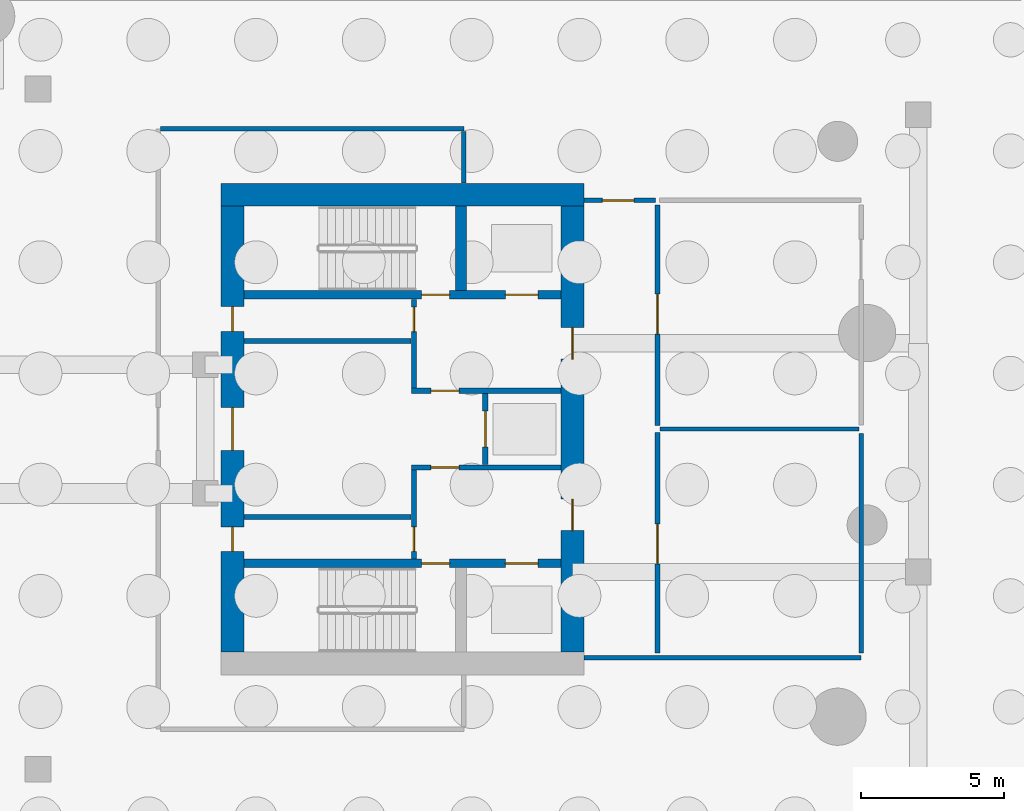
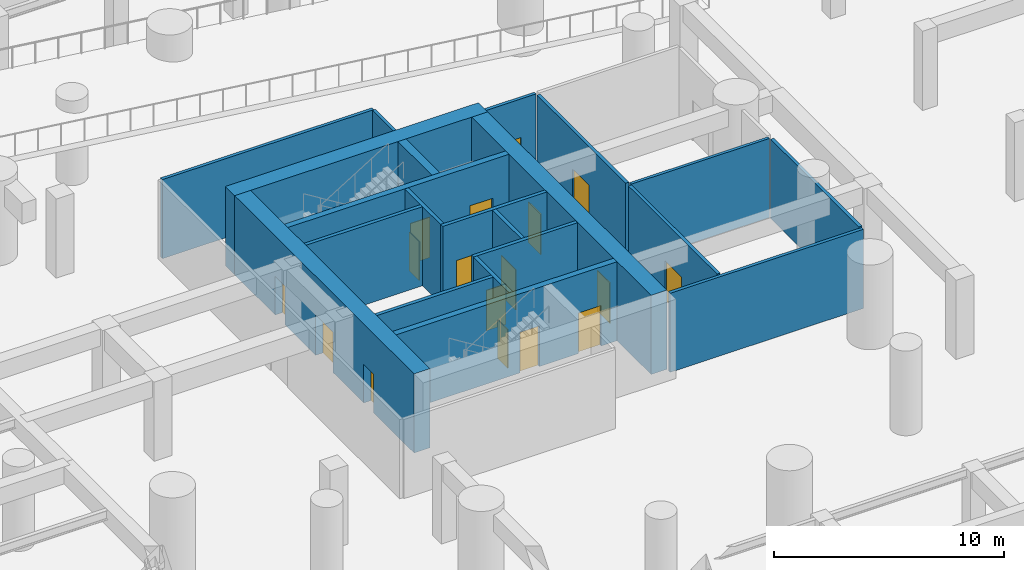
# One storey, part 7 of 11: 21 walls, 17 doors, 17 openings.
"""IFC4 building model written with IfcOpenShell, lengths in metres."""

from ifc_helpers import new_model, si_unit, direction, frame, frame_2d, origin, place, context, subcontext, project, spatial, rectangle, extrude, source, transform, mapped, material, layer, layer_set, type_object, element, fill, save


model = new_model("IFC4")

# Units and contexts
model_context = context("Model", 3, precision=1e-05, world=origin(), true_north=direction((0.0, 1.0)))
body_context = subcontext(model_context, "Body", "Model", "MODEL_VIEW")
ifc_project = project(units=[si_unit("LENGTHUNIT", "METRE"), si_unit("AREAUNIT", "SQUARE_METRE"), si_unit("VOLUMEUNIT", "CUBIC_METRE"), si_unit("PLANEANGLEUNIT", "RADIAN"), si_unit("MASSUNIT", "GRAM", prefix="KILO")], contexts=[model_context])

# Site, building, storey
site_placement = place(None, origin())
site = spatial("IfcSite", under=ifc_project, at=site_placement, CompositionType="ELEMENT")
building_placement = place(site_placement, origin())
building = spatial("IfcBuilding", under=site, at=building_placement, Name="Qafzar Sky-Pleat Residences", CompositionType="ELEMENT")
storey_placement = place(building_placement, frame((0.0, 0.0, -8.699951171875)))
storey = spatial("IfcBuildingStorey", under=building, at=storey_placement, Name="B02", CompositionType="ELEMENT", Elevation=-8.699951171875)

# Walls
ifc_material_1 = material(Name="Acoustic gypsum plasterboard partition", Category="gypsum")
ifc_layer_1 = layer(ifc_material_1, 0.159912109375)
ifc_layer_set_1 = layer_set([ifc_layer_1], Name="Acoustic gypsum plasterboard partition")
wall_type_1 = type_object("IfcWallType", Name="PART-COR-160", PredefinedType="PARTITIONING", material=ifc_layer_set_1)
wall_1_placement = place(storey_placement, frame((21.887939453125, 36.5, 0.0), z_axis=(0.0, 0.0, 1.0), x_axis=(1.0, 0.0, 0.0)))
element("IfcWall", 1, at=wall_1_placement, inside=storey, type_object=wall_type_1, Name="B02 Partition Wall PART-B02-PW-004", PredefinedType="PARTITIONING", context=body_context, shape_type="SweptSolid", body=[
    extrude(rectangle(XDim=10.612060546875, YDim=0.159912109375, at=frame_2d((5.30615234375, 0.0))), origin(), (0.0, 0.0, 1.0), 4.199951171875),
])
wall_2_placement = place(storey_placement, frame((32.5, 34.60791015625, 0.0), z_axis=(0.0, 0.0, 1.0), x_axis=(0.0, 1.0, 0.0)))
element("IfcWall", 2, at=wall_2_placement, inside=storey, type_object=wall_type_1, Name="B02 Partition Wall PART-B02-PW-005", PredefinedType="PARTITIONING", context=body_context, shape_type="SweptSolid", body=[
    extrude(rectangle(XDim=1.80419921875, YDim=0.159912109375, at=frame_2d((0.902099609375, 0.0))), origin(), (0.0, 0.0, 1.0), 4.199951171875),
])
wall_3_placement = place(storey_placement, frame((36.699951171875, 18.0, 0.0), z_axis=(0.0, 0.0, 1.0), x_axis=(1.0, 0.0, 0.0)))
element("IfcWall", 3, at=wall_3_placement, inside=storey, type_object=wall_type_1, Name="B02 Partition Wall PART-B02-PW-006", PredefinedType="PARTITIONING", context=body_context, shape_type="SweptSolid", body=[
    extrude(rectangle(XDim=9.699951171875, YDim=0.159912109375, at=frame_2d((4.85009765625, 0.0))), origin(), (0.0, 0.0, 1.0), 4.199951171875),
])

# Wall, opening, door
wall_4_placement = place(storey_placement, frame((36.699951171875, 34.0, 0.0), z_axis=(0.0, 0.0, 1.0), x_axis=(1.0, 0.0, 0.0)))
wall_4 = element("IfcWall", 4, at=wall_4_placement, inside=storey, type_object=wall_type_1, Name="B02 Partition Wall PART-B02-PW-007", PredefinedType="PARTITIONING", context=body_context, shape_type="SweptSolid", body=[
    extrude(rectangle(XDim=2.5, YDim=0.159912109375, at=frame_2d((1.25, 0.0))), origin(), (0.0, 0.0, 1.0), 4.199951171875),
])
opening_1_placement = place(wall_4_placement, frame((0.64990234375, 0.0, 0.0)))
opening_1 = element("IfcOpeningElement", 5, at=opening_1_placement, cuts=wall_4, Name="Opening ID-02", PredefinedType="OPENING", context=body_context, shape_type="SweptSolid", body=[
    extrude(rectangle(XDim=1.10009765625, YDim=2.14990234375, at=frame_2d((0.550048828125, 1.074951171875))), frame((0.0, 0.08984375, 0.0), z_axis=(0.0, -1.0, 0.0), x_axis=(1.0, 0.0, 0.0)), (0.0, 0.0, 1.0), 0.179931640625),
])
ifc_material_2 = material(Name="Timber-faced fire door", Category="wood")
door_type_1 = type_object("IfcDoorType", Name="DR-FFL-1100", OperationType="NOTDEFINED", PredefinedType="DOOR", material=ifc_material_2)
shared_shape_1 = source(origin(), body_context, "Body", "SweptSolid", [
    extrude(rectangle(XDim=1.10009765625, YDim=2.14990234375, at=frame_2d((0.550048828125, 1.074951171875))), frame((0.0, 0.02490234375, 0.0), z_axis=(0.0, -1.0, 0.0), x_axis=(1.0, 0.0, 0.0)), (0.0, 0.0, 1.0), 0.050048828125),
])
door_1_placement = place(opening_1_placement, origin())
door_1 = element("IfcDoor", 6, at=door_1_placement, inside=storey, type_object=door_type_1, Name="B02 East Service Lobby North Door", OperationType="SINGLE_SWING_RIGHT", OverallHeight=2.14990234375, OverallWidth=1.10009765625, PredefinedType="DOOR", context=body_context, shape_type="MappedRepresentation", body=[
    mapped(shared_shape_1, transform((0.0, 0.0, 0.0), x_axis=(1.0, 0.0, 0.0), y_axis=(0.0, 1.0, 0.0), z_axis=(0.0, 0.0, 1.0), scale=1.0)),
])
fill(opening_1, door_1)

wall_5_placement = place(storey_placement, frame((39.27490234375, 18.16796875, 0.0), z_axis=(0.0, 0.0, 1.0), x_axis=(0.0, 1.0, 0.0)))
wall_5 = element("IfcWall", 7, at=wall_5_placement, inside=storey, type_object=wall_type_1, Name="B02 Partition Wall PART-B02-PW-009", PredefinedType="PARTITIONING", context=body_context, shape_type="SweptSolid", body=[
    extrude(rectangle(XDim=7.7119140625, YDim=0.159912109375, at=frame_2d((3.85595703125, 0.0))), origin(), (0.0, 0.0, 1.0), 4.199951171875),
])
opening_2_placement = place(wall_5_placement, frame((3.112060546875, 0.0, 0.0)))
opening_2 = element("IfcOpeningElement", 8, at=opening_2_placement, cuts=wall_5, Name="Opening ID-10", PredefinedType="OPENING", context=body_context, shape_type="SweptSolid", body=[
    extrude(rectangle(XDim=1.39990234375, YDim=2.14990234375, at=frame_2d((0.699951171875, 1.074951171875))), frame((0.0, 0.08984375, 0.0), z_axis=(0.0, -1.0, 0.0), x_axis=(1.0, 0.0, 0.0)), (0.0, 0.0, 1.0), 0.179931640625),
])
door_type_2 = type_object("IfcDoorType", Name="DR-PLANT-1400", OperationType="DOUBLE_DOOR_SINGLE_SWING", PredefinedType="DOOR", material=ifc_material_2)
shared_shape_2 = source(origin(), body_context, "Body", "SweptSolid", [
    extrude(rectangle(XDim=1.39990234375, YDim=2.14990234375, at=frame_2d((0.699951171875, 1.074951171875))), frame((0.0, 0.02490234375, 0.0), z_axis=(0.0, -1.0, 0.0), x_axis=(1.0, 0.0, 0.0)), (0.0, 0.0, 1.0), 0.050048828125),
])
door_2_placement = place(opening_2_placement, origin())
door_2 = element("IfcDoor", 9, at=door_2_placement, inside=storey, type_object=door_type_2, Name="B02 Domestic and Fire Water Tank Plant Room Door", OperationType="DOUBLE_DOOR_SINGLE_SWING", OverallHeight=2.14990234375, OverallWidth=1.39990234375, PredefinedType="DOOR", context=body_context, shape_type="MappedRepresentation", body=[
    mapped(shared_shape_2, transform((0.0, 0.0, 0.0), x_axis=(1.0, 0.0, 0.0), y_axis=(0.0, 1.0, 0.0), z_axis=(0.0, 0.0, 1.0), scale=1.0)),
])
fill(opening_2, door_2)

wall_6_placement = place(storey_placement, frame((39.27490234375, 26.1201171875, 0.0), z_axis=(0.0, 0.0, 1.0), x_axis=(0.0, 1.0, 0.0)))
wall_6 = element("IfcWall", 10, at=wall_6_placement, inside=storey, type_object=wall_type_1, Name="B02 Partition Wall PART-B02-PW-010", PredefinedType="PARTITIONING", context=body_context, shape_type="SweptSolid", body=[
    extrude(rectangle(XDim=7.7119140625, YDim=0.159912109375, at=frame_2d((3.85595703125, 0.0))), origin(), (0.0, 0.0, 1.0), 4.199951171875),
])
opening_3_placement = place(wall_6_placement, frame((3.199951171875, 0.0, 0.0)))
opening_3 = element("IfcOpeningElement", 11, at=opening_3_placement, cuts=wall_6, Name="Opening ID-10", PredefinedType="OPENING", context=body_context, shape_type="SweptSolid", body=[
    extrude(rectangle(XDim=1.39990234375, YDim=2.14990234375, at=frame_2d((0.699951171875, 1.074951171875))), frame((0.0, 0.08984375, 0.0), z_axis=(0.0, -1.0, 0.0), x_axis=(1.0, 0.0, 0.0)), (0.0, 0.0, 1.0), 0.179931640625),
])
door_3_placement = place(opening_3_placement, origin())
door_3 = element("IfcDoor", 12, at=door_3_placement, inside=storey, type_object=door_type_2, Name="B02 HV Substation and Switchgear Plant Room Door", OperationType="DOUBLE_DOOR_SINGLE_SWING", OverallHeight=2.14990234375, OverallWidth=1.39990234375, PredefinedType="DOOR", context=body_context, shape_type="MappedRepresentation", body=[
    mapped(shared_shape_2, transform((0.0, 0.0, 0.0), x_axis=(1.0, 0.0, 0.0), y_axis=(0.0, 1.0, 0.0), z_axis=(0.0, 0.0, 1.0), scale=1.0)),
])
fill(opening_3, door_3)

# Wall
wall_7_placement = place(storey_placement, frame((46.39990234375, 18.16796875, 0.0), z_axis=(0.0, 0.0, 1.0), x_axis=(0.0, 1.0, 0.0)))
element("IfcWall", 13, at=wall_7_placement, inside=storey, type_object=wall_type_1, Name="B02 Partition Wall PART-B02-PW-012", PredefinedType="PARTITIONING", context=body_context, shape_type="SweptSolid", body=[
    extrude(rectangle(XDim=7.68212890625, YDim=0.159912109375, at=frame_2d((3.841064453125, 0.0))), origin(), (0.0, 0.0, 1.0), 4.199951171875),
])

# Wall, opening, door
ifc_material_3 = material(Name="Concrete blockwork partition", Category="masonry")
ifc_layer_2 = layer(ifc_material_3, 0.179931640625)
ifc_layer_set_2 = layer_set([ifc_layer_2], Name="Concrete blockwork partition")
wall_type_2 = type_object("IfcWallType", Name="PART-SHAFT-180", PredefinedType="PARTITIONING", material=ifc_layer_set_2)
wall_8_placement = place(storey_placement, frame((30.75, 21.4599609375, 0.0), z_axis=(0.0, 0.0, 1.0), x_axis=(0.0, 1.0, 0.0)))
wall_8 = element("IfcWall", 14, at=wall_8_placement, inside=storey, type_object=wall_type_2, Name="B02 Partition Wall PART-B02-FFL1-W", PredefinedType="PARTITIONING", context=body_context, shape_type="SweptSolid", body=[
    extrude(rectangle(XDim=3.110107421875, YDim=0.179931640625, at=frame_2d((1.55517578125, 0.0))), origin(), (0.0, 0.0, 1.0), 4.199951171875),
])
opening_4_placement = place(wall_8_placement, frame((0.260009765625, 0.0, 0.0)))
opening_4 = element("IfcOpeningElement", 15, at=opening_4_placement, cuts=wall_8, Name="Opening ID-09", PredefinedType="OPENING", context=body_context, shape_type="SweptSolid", body=[
    extrude(rectangle(XDim=0.860107421875, YDim=2.050048828125, at=frame_2d((0.43017578125, 1.02490234375))), frame((0.0, 0.10009765625, 0.0), z_axis=(0.0, -1.0, 0.0), x_axis=(1.0, 0.0, 0.0)), (0.0, 0.0, 1.0), 0.199951171875),
])
door_type_3 = type_object("IfcDoorType", Name="DR-SVC-860", OperationType="NOTDEFINED", PredefinedType="DOOR", material=ifc_material_2)
shared_shape_3 = source(origin(), body_context, "Body", "SweptSolid", [
    extrude(rectangle(XDim=0.860107421875, YDim=2.050048828125, at=frame_2d((0.43017578125, 1.02490234375))), frame((0.0, 0.02490234375, 0.0), z_axis=(0.0, -1.0, 0.0), x_axis=(1.0, 0.0, 0.0)), (0.0, 0.0, 1.0), 0.050048828125),
])
door_4_placement = place(opening_4_placement, origin())
door_4 = element("IfcDoor", 16, at=door_4_placement, inside=storey, type_object=door_type_3, Name="B02 South Core Cupboard Door", OperationType="SINGLE_SWING_RIGHT", OverallHeight=2.050048828125, OverallWidth=0.860107421875, PredefinedType="DOOR", context=body_context, shape_type="MappedRepresentation", body=[
    mapped(shared_shape_3, transform((0.0, 0.0, 0.0), x_axis=(1.0, 0.0, 0.0), y_axis=(0.0, 1.0, 0.0), z_axis=(0.0, 0.0, 1.0), scale=1.0)),
])
fill(opening_4, door_4)

wall_9_placement = place(storey_placement, frame((30.669921875, 24.659912109375, 0.0), z_axis=(0.0, 0.0, 1.0), x_axis=(1.0, 0.0, 0.0)))
wall_9 = element("IfcWall", 17, at=wall_9_placement, inside=storey, type_object=wall_type_2, Name="B02 Partition Wall PART-B02-FFL1-N", PredefinedType="PARTITIONING", context=body_context, shape_type="SweptSolid", body=[
    extrude(rectangle(XDim=5.219970703125, YDim=0.179931640625, at=frame_2d((2.60986328125, 0.0))), origin(), (0.0, 0.0, 1.0), 4.199951171875),
])
opening_5_placement = place(wall_9_placement, frame((0.679931640625, 0.0, 0.0)))
opening_5 = element("IfcOpeningElement", 18, at=opening_5_placement, cuts=wall_9, Name="Opening ID-01", PredefinedType="OPENING", context=body_context, shape_type="SweptSolid", body=[
    extrude(rectangle(XDim=0.97998046875, YDim=2.14990234375, at=frame_2d((0.489990234375, 1.074951171875))), frame((0.0, 0.10009765625, 0.0), z_axis=(0.0, -1.0, 0.0), x_axis=(1.0, 0.0, 0.0)), (0.0, 0.0, 1.0), 0.199951171875),
])
door_type_4 = type_object("IfcDoorType", Name="DR-STAIR-980", OperationType="NOTDEFINED", PredefinedType="DOOR", material=ifc_material_2)
shared_shape_4 = source(origin(), body_context, "Body", "SweptSolid", [
    extrude(rectangle(XDim=0.97998046875, YDim=2.14990234375, at=frame_2d((0.489990234375, 1.074951171875))), frame((0.0, 0.02490234375, 0.0), z_axis=(0.0, -1.0, 0.0), x_axis=(1.0, 0.0, 0.0)), (0.0, 0.0, 1.0), 0.050048828125),
])
door_5_placement = place(opening_5_placement, origin())
door_5 = element("IfcDoor", 19, at=door_5_placement, inside=storey, type_object=door_type_4, Name="B02 Lift Lobby to South Firefighting Lobby Door", OperationType="SINGLE_SWING_LEFT", OverallHeight=2.14990234375, OverallWidth=0.97998046875, PredefinedType="DOOR", context=body_context, shape_type="MappedRepresentation", body=[
    mapped(shared_shape_4, transform((0.0, 0.0, 0.0), x_axis=(1.0, 0.0, 0.0), y_axis=(0.0, 1.0, 0.0), z_axis=(0.0, 0.0, 1.0), scale=1.0)),
])
fill(opening_5, door_5)

wall_10_placement = place(storey_placement, frame((30.75, 27.429931640625, 0.0), z_axis=(0.0, 0.0, 1.0), x_axis=(0.0, 1.0, 0.0)))
wall_10 = element("IfcWall", 20, at=wall_10_placement, inside=storey, type_object=wall_type_2, Name="B02 Partition Wall PART-B02-FFL2-W", PredefinedType="PARTITIONING", context=body_context, shape_type="SweptSolid", body=[
    extrude(rectangle(XDim=3.110107421875, YDim=0.179931640625, at=frame_2d((1.55517578125, 0.0))), origin(), (0.0, 0.0, 1.0), 4.199951171875),
])
opening_6_placement = place(wall_10_placement, frame((1.97998046875, 0.0, 0.0)))
opening_6 = element("IfcOpeningElement", 21, at=opening_6_placement, cuts=wall_10, Name="Opening ID-09", PredefinedType="OPENING", context=body_context, shape_type="SweptSolid", body=[
    extrude(rectangle(XDim=0.860107421875, YDim=2.050048828125, at=frame_2d((0.43017578125, 1.02490234375))), frame((0.0, 0.10009765625, 0.0), z_axis=(0.0, -1.0, 0.0), x_axis=(1.0, 0.0, 0.0)), (0.0, 0.0, 1.0), 0.199951171875),
])
door_6_placement = place(opening_6_placement, origin())
door_6 = element("IfcDoor", 22, at=door_6_placement, inside=storey, type_object=door_type_3, Name="B02 North Core Cupboard Door", OperationType="SINGLE_SWING_RIGHT", OverallHeight=2.050048828125, OverallWidth=0.860107421875, PredefinedType="DOOR", context=body_context, shape_type="MappedRepresentation", body=[
    mapped(shared_shape_3, transform((0.0, 0.0, 0.0), x_axis=(1.0, 0.0, 0.0), y_axis=(0.0, 1.0, 0.0), z_axis=(0.0, 0.0, 1.0), scale=1.0)),
])
fill(opening_6, door_6)

wall_11_placement = place(storey_placement, frame((30.669921875, 27.340087890625, 0.0), z_axis=(0.0, 0.0, 1.0), x_axis=(1.0, 0.0, 0.0)))
wall_11 = element("IfcWall", 23, at=wall_11_placement, inside=storey, type_object=wall_type_2, Name="B02 Partition Wall PART-B02-FFL2-S", PredefinedType="PARTITIONING", context=body_context, shape_type="SweptSolid", body=[
    extrude(rectangle(XDim=5.219970703125, YDim=0.179931640625, at=frame_2d((2.60986328125, 0.0))), origin(), (0.0, 0.0, 1.0), 4.199951171875),
])
opening_7_placement = place(wall_11_placement, frame((0.679931640625, 0.0, 0.0)))
opening_7 = element("IfcOpeningElement", 24, at=opening_7_placement, cuts=wall_11, Name="Opening ID-01", PredefinedType="OPENING", context=body_context, shape_type="SweptSolid", body=[
    extrude(rectangle(XDim=0.97998046875, YDim=2.14990234375, at=frame_2d((0.489990234375, 1.074951171875))), frame((0.0, 0.10009765625, 0.0), z_axis=(0.0, -1.0, 0.0), x_axis=(1.0, 0.0, 0.0)), (0.0, 0.0, 1.0), 0.199951171875),
])
door_7_placement = place(opening_7_placement, origin())
door_7 = element("IfcDoor", 25, at=door_7_placement, inside=storey, type_object=door_type_4, Name="B02 Lift Lobby to North Firefighting Lobby Door", OperationType="SINGLE_SWING_LEFT", OverallHeight=2.14990234375, OverallWidth=0.97998046875, PredefinedType="DOOR", context=body_context, shape_type="MappedRepresentation", body=[
    mapped(shared_shape_4, transform((0.0, 0.0, 0.0), x_axis=(1.0, 0.0, 0.0), y_axis=(0.0, 1.0, 0.0), z_axis=(0.0, 0.0, 1.0), scale=1.0)),
])
fill(opening_7, door_7)

wall_12_placement = place(storey_placement, frame((33.25, 24.760009765625, 0.0), z_axis=(0.0, 0.0, 1.0), x_axis=(0.0, 1.0, 0.0)))
wall_12 = element("IfcWall", 26, at=wall_12_placement, inside=storey, type_object=wall_type_2, Name="B02 Partition Wall PART-B02-SV1-W", PredefinedType="PARTITIONING", context=body_context, shape_type="SweptSolid", body=[
    extrude(rectangle(XDim=2.47998046875, YDim=0.179931640625, at=frame_2d((1.239990234375, 0.0))), origin(), (0.0, 0.0, 1.0), 4.199951171875),
])
opening_8_placement = place(wall_12_placement, frame((0.614990234375, 0.0, 0.0)))
opening_8 = element("IfcOpeningElement", 27, at=opening_8_placement, cuts=wall_12, Name="Opening LD-03", PredefinedType="OPENING", context=body_context, shape_type="SweptSolid", body=[
    extrude(rectangle(XDim=1.25, YDim=2.14990234375, at=frame_2d((0.625, 1.074951171875))), frame((0.0, 0.10009765625, 0.0), z_axis=(0.0, -1.0, 0.0), x_axis=(1.0, 0.0, 0.0)), (0.0, 0.0, 1.0), 0.199951171875),
])
ifc_material_4 = material(Name="Stainless steel sliding landing door", Category="steel")
door_type_5 = type_object("IfcDoorType", Name="DR-LIFT-SV", OperationType="DOUBLE_DOOR_SLIDING", PredefinedType="DOOR", material=ifc_material_4)
shared_shape_5 = source(origin(), body_context, "Body", "SweptSolid", [
    extrude(rectangle(XDim=1.25, YDim=2.14990234375, at=frame_2d((0.625, 1.074951171875))), frame((0.0, 0.02490234375, 0.0), z_axis=(0.0, -1.0, 0.0), x_axis=(1.0, 0.0, 0.0)), (0.0, 0.0, 1.0), 0.050048828125),
])
door_8_placement = place(opening_8_placement, origin())
door_8 = element("IfcDoor", 28, at=door_8_placement, inside=storey, type_object=door_type_5, Name="B02 Service Lift SV1 Landing Door", OperationType="DOUBLE_DOOR_SLIDING", OverallHeight=2.14990234375, OverallWidth=1.25, PredefinedType="DOOR", context=body_context, shape_type="MappedRepresentation", body=[
    mapped(shared_shape_5, transform((0.0, 0.0, 0.0), x_axis=(1.0, 0.0, 0.0), y_axis=(0.0, 1.0, 0.0), z_axis=(0.0, 0.0, 1.0), scale=1.0)),
])
fill(opening_8, door_8)

# Walls
for number, where, z_axis, x_axis, name in (
    (29, (24.81005859375, 22.919921875, 0.0), (0.0, 0.0, 1.0), (1.0, 0.0, 0.0), "B02 Partition Wall PART-B02-P13-S"),
    (30, (24.81005859375, 29.080078125, 0.0), (0.0, 0.0, 1.0), (1.0, 0.0, 0.0), "B02 Partition Wall PART-B02-P46-N"),
):
    element("IfcWall", number, at=place(storey_placement, frame(where, z_axis=z_axis, x_axis=x_axis)), inside=storey, type_object=wall_type_2, Name=name, PredefinedType="PARTITIONING", context=body_context, shape_type="SweptSolid", body=[
        extrude(rectangle(XDim=5.83984375, YDim=0.179931640625, at=frame_2d((2.919921875, 0.0))), origin(), (0.0, 0.0, 1.0), 4.199951171875),
    ])
ifc_layer_3 = layer(ifc_material_1, 0.14501953125)
ifc_layer_set_3 = layer_set([ifc_layer_3], Name="Acoustic gypsum plasterboard partition")
wall_type_3 = type_object("IfcWallType", Name="PART-UNIT-145", PredefinedType="PARTITIONING", material=ifc_layer_set_3)
wall_13_placement = place(storey_placement, frame((39.360107421875, 26.0, 0.0), z_axis=(0.0, 0.0, 1.0), x_axis=(1.0, 0.0, 0.0)))
element("IfcWall", 31, at=wall_13_placement, inside=storey, type_object=wall_type_3, Name="B02 Partition Wall PART-B02-PW-011", PredefinedType="PARTITIONING", context=body_context, shape_type="SweptSolid", body=[
    extrude(rectangle(XDim=6.9599609375, YDim=0.14501953125, at=frame_2d((3.47998046875, 0.0))), origin(), (0.0, 0.0, 1.0), 4.199951171875),
])

# Wall, openings, doors
ifc_material_5 = material(Name="Concrete C60/75", Category="concrete")
ifc_layer_4 = layer(ifc_material_5, 0.300048828125)
ifc_layer_set_4 = layer_set([ifc_layer_4], Name="Concrete C60/75")
wall_type_4 = type_object("IfcWallType", Name="WALL-SHEAR-300", PredefinedType="SHEAR", material=ifc_layer_set_4)
wall_14_placement = place(storey_placement, frame((24.800048828125, 21.300048828125, 0.0), z_axis=(0.0, 0.0, 1.0), x_axis=(1.0, 0.0, 0.0)))
wall_14 = element("IfcWall", 32, at=wall_14_placement, inside=storey, type_object=wall_type_4, Name="B02 Stair ST1 and FF1 Shaft North Wall", PredefinedType="SHEAR", context=body_context, shape_type="SweptSolid", body=[
    extrude(rectangle(XDim=11.099853515625, YDim=0.300048828125, at=frame_2d((5.5498046875, 0.0))), origin(), (0.0, 0.0, 1.0), 4.199951171875),
])
opening_9_placement = place(wall_14_placement, frame((6.219970703125, 0.0, 0.0)))
opening_9 = element("IfcOpeningElement", 33, at=opening_9_placement, cuts=wall_14, Name="Opening ID-01", PredefinedType="OPENING", context=body_context, shape_type="SweptSolid", body=[
    extrude(rectangle(XDim=0.97998046875, YDim=2.14990234375, at=frame_2d((0.489990234375, 1.074951171875))), frame((0.0, 0.16015625, 0.0), z_axis=(0.0, -1.0, 0.0), x_axis=(1.0, 0.0, 0.0)), (0.0, 0.0, 1.0), 0.320068359375),
])
opening_10_placement = place(wall_14_placement, frame((9.14990234375, 0.0, 0.0)))
opening_10 = element("IfcOpeningElement", 34, at=opening_10_placement, cuts=wall_14, Name="Opening LD-02", PredefinedType="OPENING", context=body_context, shape_type="SweptSolid", body=[
    extrude(rectangle(XDim=1.14990234375, YDim=2.14990234375, at=frame_2d((0.574951171875, 1.074951171875))), frame((0.0, 0.16015625, 0.0), z_axis=(0.0, -1.0, 0.0), x_axis=(1.0, 0.0, 0.0)), (0.0, 0.0, 1.0), 0.320068359375),
])
door_9_placement = place(opening_9_placement, origin())
door_9 = element("IfcDoor", 35, at=door_9_placement, inside=storey, type_object=door_type_4, Name="B02 Stair ST1 Fire Door", OperationType="SINGLE_SWING_RIGHT", OverallHeight=2.14990234375, OverallWidth=0.97998046875, PredefinedType="DOOR", context=body_context, shape_type="MappedRepresentation", body=[
    mapped(shared_shape_4, transform((0.0, 0.0, 0.0), x_axis=(1.0, 0.0, 0.0), y_axis=(0.0, 1.0, 0.0), z_axis=(0.0, 0.0, 1.0), scale=1.0)),
])
fill(opening_9, door_9)
door_type_6 = type_object("IfcDoorType", Name="DR-LIFT-FF", OperationType="DOUBLE_DOOR_SLIDING", PredefinedType="DOOR", material=ifc_material_4)
shared_shape_6 = source(origin(), body_context, "Body", "SweptSolid", [
    extrude(rectangle(XDim=1.14990234375, YDim=2.14990234375, at=frame_2d((0.574951171875, 1.074951171875))), frame((0.0, 0.02490234375, 0.0), z_axis=(0.0, -1.0, 0.0), x_axis=(1.0, 0.0, 0.0)), (0.0, 0.0, 1.0), 0.050048828125),
])
door_10_placement = place(opening_10_placement, origin())
door_10 = element("IfcDoor", 36, at=door_10_placement, inside=storey, type_object=door_type_6, Name="B02 Firefighting Lift FF1 Landing Door", OperationType="DOUBLE_DOOR_SLIDING", OverallHeight=2.14990234375, OverallWidth=1.14990234375, PredefinedType="DOOR", context=body_context, shape_type="MappedRepresentation", body=[
    mapped(shared_shape_6, transform((0.0, 0.0, 0.0), x_axis=(1.0, 0.0, 0.0), y_axis=(0.0, 1.0, 0.0), z_axis=(0.0, 0.0, 1.0), scale=1.0)),
])
fill(opening_10, door_10)

wall_15_placement = place(storey_placement, frame((24.800048828125, 30.699951171875, 0.0), z_axis=(0.0, 0.0, 1.0), x_axis=(1.0, 0.0, 0.0)))
wall_15 = element("IfcWall", 37, at=wall_15_placement, inside=storey, type_object=wall_type_4, Name="B02 Stair ST2 and FF2 Shaft South Wall", PredefinedType="SHEAR", context=body_context, shape_type="SweptSolid", body=[
    extrude(rectangle(XDim=11.099853515625, YDim=0.300048828125, at=frame_2d((5.5498046875, 0.0))), origin(), (0.0, 0.0, 1.0), 4.199951171875),
])
opening_11_placement = place(wall_15_placement, frame((6.219970703125, 0.0, 0.0)))
opening_11 = element("IfcOpeningElement", 38, at=opening_11_placement, cuts=wall_15, Name="Opening ID-01", PredefinedType="OPENING", context=body_context, shape_type="SweptSolid", body=[
    extrude(rectangle(XDim=0.97998046875, YDim=2.14990234375, at=frame_2d((0.489990234375, 1.074951171875))), frame((0.0, 0.16015625, 0.0), z_axis=(0.0, -1.0, 0.0), x_axis=(1.0, 0.0, 0.0)), (0.0, 0.0, 1.0), 0.320068359375),
])
opening_12_placement = place(wall_15_placement, frame((9.14990234375, 0.0, 0.0)))
opening_12 = element("IfcOpeningElement", 39, at=opening_12_placement, cuts=wall_15, Name="Opening LD-02", PredefinedType="OPENING", context=body_context, shape_type="SweptSolid", body=[
    extrude(rectangle(XDim=1.14990234375, YDim=2.14990234375, at=frame_2d((0.574951171875, 1.074951171875))), frame((0.0, 0.16015625, 0.0), z_axis=(0.0, -1.0, 0.0), x_axis=(1.0, 0.0, 0.0)), (0.0, 0.0, 1.0), 0.320068359375),
])
door_11_placement = place(opening_11_placement, origin())
door_11 = element("IfcDoor", 40, at=door_11_placement, inside=storey, type_object=door_type_4, Name="B02 Stair ST2 Fire Door", OperationType="SINGLE_SWING_LEFT", OverallHeight=2.14990234375, OverallWidth=0.97998046875, PredefinedType="DOOR", context=body_context, shape_type="MappedRepresentation", body=[
    mapped(shared_shape_4, transform((0.0, 0.0, 0.0), x_axis=(1.0, 0.0, 0.0), y_axis=(0.0, 1.0, 0.0), z_axis=(0.0, 0.0, 1.0), scale=1.0)),
])
fill(opening_11, door_11)
door_12_placement = place(opening_12_placement, origin())
door_12 = element("IfcDoor", 41, at=door_12_placement, inside=storey, type_object=door_type_6, Name="B02 Firefighting Lift FF2 Landing Door", OperationType="DOUBLE_DOOR_SLIDING", OverallHeight=2.14990234375, OverallWidth=1.14990234375, PredefinedType="DOOR", context=body_context, shape_type="MappedRepresentation", body=[
    mapped(shared_shape_6, transform((0.0, 0.0, 0.0), x_axis=(1.0, 0.0, 0.0), y_axis=(0.0, 1.0, 0.0), z_axis=(0.0, 0.0, 1.0), scale=1.0)),
])
fill(opening_12, door_12)

# Walls
ifc_layer_5 = layer(ifc_material_5, 0.39990234375)
ifc_layer_set_5 = layer_set([ifc_layer_5], Name="Concrete C60/75")
wall_type_5 = type_object("IfcWallType", Name="WALL-SHEAR-400", PredefinedType="SHEAR", material=ifc_layer_set_5)
wall_16_placement = place(storey_placement, frame((32.39990234375, 30.85009765625, 0.0), z_axis=(0.0, 0.0, 1.0), x_axis=(0.0, 1.0, 0.0)))
element("IfcWall", 42, at=wall_16_placement, inside=storey, type_object=wall_type_5, Name="B02 Stair ST2 East Dividing Wall", PredefinedType="SHEAR", context=body_context, shape_type="SweptSolid", body=[
    extrude(rectangle(XDim=2.949951171875, YDim=0.39990234375, at=frame_2d((1.47509765625, 0.0))), origin(), (0.0, 0.0, 1.0), 4.199951171875),
])
ifc_layer_6 = layer(ifc_material_5, 0.800048828125)
ifc_layer_set_6 = layer_set([ifc_layer_6], Name="Concrete C60/75")
wall_type_6 = type_object("IfcWallType", Name="WALL-SHEAR-800", PredefinedType="SHEAR", material=ifc_layer_set_6)
wall_17_placement = place(storey_placement, frame((36.699951171875, 34.199951171875, 0.0), z_axis=(0.0, 0.0, 1.0), x_axis=(-1.0, 0.0, 0.0)))
element("IfcWall", 43, at=wall_17_placement, inside=storey, type_object=wall_type_6, Name="B02 CORE wall N", PredefinedType="SHEAR", context=body_context, shape_type="SweptSolid", body=[
    extrude(rectangle(XDim=12.699951171875, YDim=0.800048828125, at=frame_2d((6.35009765625, 0.0))), origin(), (0.0, 0.0, 1.0), 4.199951171875),
])

# Wall, openings, doors
wall_18_placement = place(storey_placement, frame((24.39990234375, 33.800048828125, 0.0), z_axis=(0.0, 0.0, 1.0), x_axis=(0.0, -1.0, 0.0)))
wall_18 = element("IfcWall", 44, at=wall_18_placement, inside=storey, type_object=wall_type_6, Name="B02 CORE wall W", PredefinedType="SHEAR", context=body_context, shape_type="SweptSolid", body=[
    extrude(rectangle(XDim=15.60009765625, YDim=0.800048828125, at=frame_2d((7.800048828125, 0.0))), origin(), (0.0, 0.0, 1.0), 4.199951171875),
])
opening_13_placement = place(wall_18_placement, frame((7.050048828125, 0.0, 0.0)))
opening_13 = element("IfcOpeningElement", 45, at=opening_13_placement, cuts=wall_18, Name="Opening ID-03", PredefinedType="OPENING", context=body_context, shape_type="SweptSolid", body=[
    extrude(rectangle(XDim=1.5, YDim=2.14990234375, at=frame_2d((0.75, 1.074951171875))), frame((0.0, 0.41015625, 0.0), z_axis=(0.0, -1.0, 0.0), x_axis=(1.0, 0.0, 0.0)), (0.0, 0.0, 1.0), 0.820068359375),
])
opening_14_placement = place(wall_18_placement, frame((3.52001953125, 0.0, 0.0)))
opening_14 = element("IfcOpeningElement", 46, at=opening_14_placement, cuts=wall_18, Name="Opening ID-09", PredefinedType="OPENING", context=body_context, shape_type="SweptSolid", body=[
    extrude(rectangle(XDim=0.860107421875, YDim=2.050048828125, at=frame_2d((0.43017578125, 1.02490234375))), frame((0.0, 0.41015625, 0.0), z_axis=(0.0, -1.0, 0.0), x_axis=(1.0, 0.0, 0.0)), (0.0, 0.0, 1.0), 0.820068359375),
])
opening_15_placement = place(wall_18_placement, frame((11.219970703125, 0.0, 0.0)))
opening_15 = element("IfcOpeningElement", 47, at=opening_15_placement, cuts=wall_18, Name="Opening ID-09", PredefinedType="OPENING", context=body_context, shape_type="SweptSolid", body=[
    extrude(rectangle(XDim=0.860107421875, YDim=2.050048828125, at=frame_2d((0.43017578125, 1.02490234375))), frame((0.0, 0.41015625, 0.0), z_axis=(0.0, -1.0, 0.0), x_axis=(1.0, 0.0, 0.0)), (0.0, 0.0, 1.0), 0.820068359375),
])
door_type_7 = type_object("IfcDoorType", Name="DR-COR-1500", OperationType="DOUBLE_DOOR_SINGLE_SWING", PredefinedType="DOOR", material=ifc_material_2)
shared_shape_7 = source(origin(), body_context, "Body", "SweptSolid", [
    extrude(rectangle(XDim=1.5, YDim=2.14990234375, at=frame_2d((0.75, 1.074951171875))), frame((0.0, 0.02490234375, 0.0), z_axis=(0.0, -1.0, 0.0), x_axis=(1.0, 0.0, 0.0)), (0.0, 0.0, 1.0), 0.050048828125),
])
door_13_placement = place(opening_13_placement, origin())
door_13 = element("IfcDoor", 48, at=door_13_placement, inside=storey, type_object=door_type_7, Name="B02 Lift Lobby West Double Door", OperationType="DOUBLE_DOOR_SINGLE_SWING", OverallHeight=2.14990234375, OverallWidth=1.5, PredefinedType="DOOR", context=body_context, shape_type="MappedRepresentation", body=[
    mapped(shared_shape_7, transform((0.0, 0.0, 0.0), x_axis=(1.0, 0.0, 0.0), y_axis=(0.0, 1.0, 0.0), z_axis=(0.0, 0.0, 1.0), scale=1.0)),
])
fill(opening_13, door_13)
door_14_placement = place(opening_14_placement, origin())
door_14 = element("IfcDoor", 49, at=door_14_placement, inside=storey, type_object=door_type_3, Name="B02 Core North-West Service Door", OperationType="SINGLE_SWING_RIGHT", OverallHeight=2.050048828125, OverallWidth=0.860107421875, PredefinedType="DOOR", context=body_context, shape_type="MappedRepresentation", body=[
    mapped(shared_shape_3, transform((0.0, 0.0, 0.0), x_axis=(1.0, 0.0, 0.0), y_axis=(0.0, 1.0, 0.0), z_axis=(0.0, 0.0, 1.0), scale=1.0)),
])
fill(opening_14, door_14)
door_15_placement = place(opening_15_placement, origin())
door_15 = element("IfcDoor", 50, at=door_15_placement, inside=storey, type_object=door_type_3, Name="B02 Core South-West Service Door", OperationType="SINGLE_SWING_LEFT", OverallHeight=2.050048828125, OverallWidth=0.860107421875, PredefinedType="DOOR", context=body_context, shape_type="MappedRepresentation", body=[
    mapped(shared_shape_3, transform((0.0, 0.0, 0.0), x_axis=(1.0, 0.0, 0.0), y_axis=(0.0, 1.0, 0.0), z_axis=(0.0, 0.0, 1.0), scale=1.0)),
])
fill(opening_15, door_15)

wall_19_placement = place(storey_placement, frame((36.300048828125, 18.199951171875, 0.0), z_axis=(0.0, 0.0, 1.0), x_axis=(0.0, 1.0, 0.0)))
wall_19 = element("IfcWall", 51, at=wall_19_placement, inside=storey, type_object=wall_type_6, Name="B02 CORE wall E", PredefinedType="SHEAR", context=body_context, shape_type="SweptSolid", body=[
    extrude(rectangle(XDim=15.60009765625, YDim=0.800048828125, at=frame_2d((7.800048828125, 0.0))), origin(), (0.0, 0.0, 1.0), 4.199951171875),
])
opening_16_placement = place(wall_19_placement, frame((4.25, 0.0, 0.0)))
opening_16 = element("IfcOpeningElement", 52, at=opening_16_placement, cuts=wall_19, Name="Opening ID-02", PredefinedType="OPENING", context=body_context, shape_type="SweptSolid", body=[
    extrude(rectangle(XDim=1.10009765625, YDim=2.14990234375, at=frame_2d((0.550048828125, 1.074951171875))), frame((0.0, 0.41015625, 0.0), z_axis=(0.0, -1.0, 0.0), x_axis=(1.0, 0.0, 0.0)), (0.0, 0.0, 1.0), 0.820068359375),
])
opening_17_placement = place(wall_19_placement, frame((10.25, 0.0, 0.0)))
opening_17 = element("IfcOpeningElement", 53, at=opening_17_placement, cuts=wall_19, Name="Opening ID-02", PredefinedType="OPENING", context=body_context, shape_type="SweptSolid", body=[
    extrude(rectangle(XDim=1.10009765625, YDim=2.14990234375, at=frame_2d((0.550048828125, 1.074951171875))), frame((0.0, 0.41015625, 0.0), z_axis=(0.0, -1.0, 0.0), x_axis=(1.0, 0.0, 0.0)), (0.0, 0.0, 1.0), 0.820068359375),
])
door_16_placement = place(opening_16_placement, origin())
door_16 = element("IfcDoor", 54, at=door_16_placement, inside=storey, type_object=door_type_1, Name="B02 Firefighting Lobby South Corridor Door", OperationType="SINGLE_SWING_RIGHT", OverallHeight=2.14990234375, OverallWidth=1.10009765625, PredefinedType="DOOR", context=body_context, shape_type="MappedRepresentation", body=[
    mapped(shared_shape_1, transform((0.0, 0.0, 0.0), x_axis=(1.0, 0.0, 0.0), y_axis=(0.0, 1.0, 0.0), z_axis=(0.0, 0.0, 1.0), scale=1.0)),
])
fill(opening_16, door_16)
door_17_placement = place(opening_17_placement, origin())
door_17 = element("IfcDoor", 55, at=door_17_placement, inside=storey, type_object=door_type_1, Name="B02 Firefighting Lobby North Corridor Door", OperationType="SINGLE_SWING_LEFT", OverallHeight=2.14990234375, OverallWidth=1.10009765625, PredefinedType="DOOR", context=body_context, shape_type="MappedRepresentation", body=[
    mapped(shared_shape_1, transform((0.0, 0.0, 0.0), x_axis=(1.0, 0.0, 0.0), y_axis=(0.0, 1.0, 0.0), z_axis=(0.0, 0.0, 1.0), scale=1.0)),
])
fill(opening_17, door_17)

save(model, "model.ifc")
